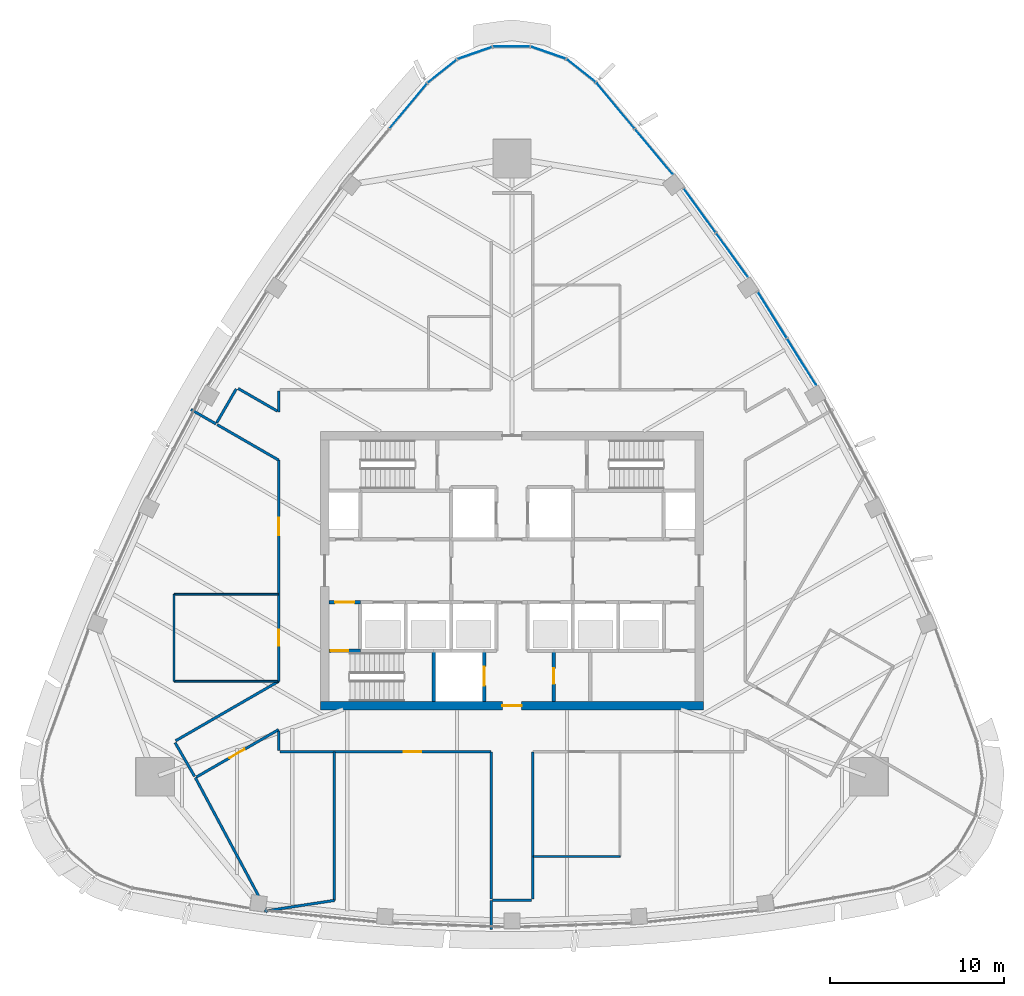
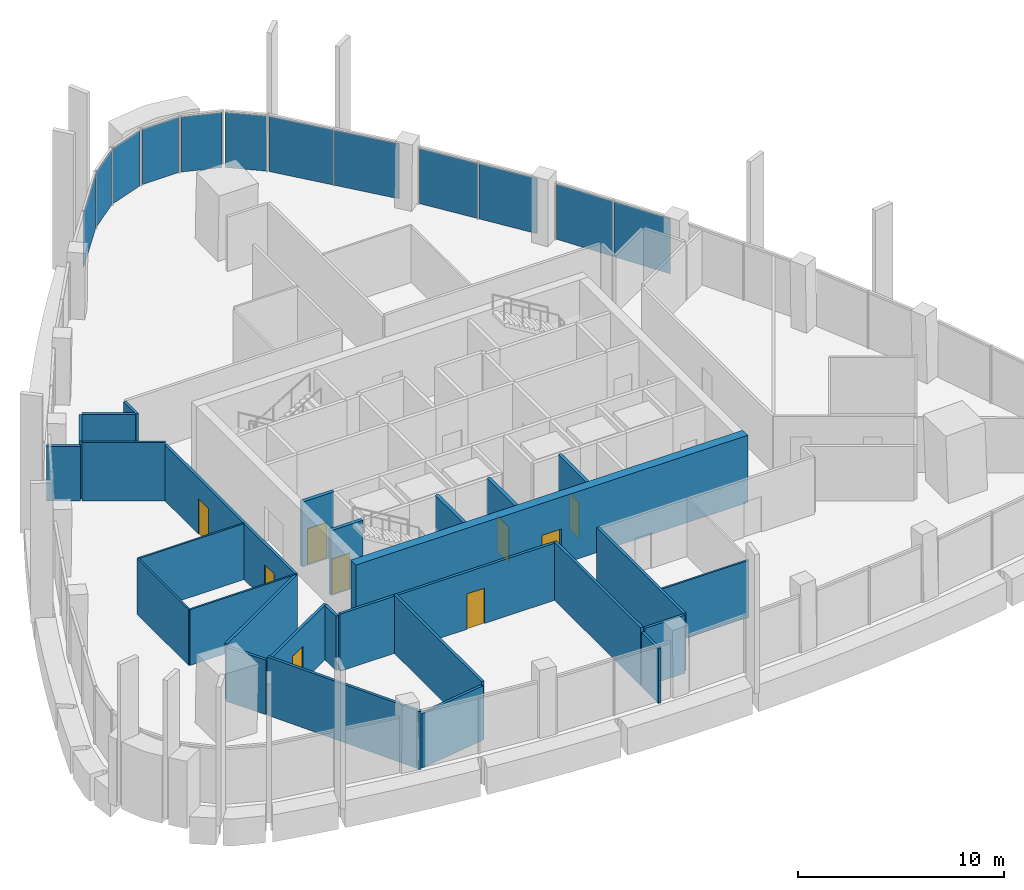
# One storey, part 8 of 19: 29 walls, 12 plates, 9 doors, 9 openings, 9 elements without a shape of their own.
"""IFC4 building model written with IfcOpenShell, lengths in metres."""

import ifcopenshell
import ifcopenshell.guid

model = None  # the IFC model being written
_history = None  # IfcOwnerHistory: only IFC2X3 demands one
_inside = {}  # id of a spatial element -> (the spatial element, [elements in it])
_under = {}  # id of a project, library or spatial element -> (it, [spatial elements below it])
_declared = {}  # id of a project -> (the project, [libraries it declares])
_typed = {}  # id of a type object -> (the type object, [elements of that type])
_made_of = {}  # id of a material, layer set ... -> (it, [elements and type objects made of it])


def new_model(schema):
    """Start an empty IFC model of exactly this schema.

    Asked for "IFC4X3", IfcOpenShell would pick the latest addendum, in which some entities
    have other attributes; the version numbers below select the first issue.
    IFC2X3 requires an IfcOwnerHistory on every rooted entity: one is made here for all.
    """
    global model, _history
    if schema == "IFC4X3":
        model = ifcopenshell.file(schema_version=(4, 3, 0, 0))
    else:
        model = ifcopenshell.file(schema=schema)
    _inside.clear()
    _under.clear()
    _declared.clear()
    _typed.clear()
    _made_of.clear()
    _history = None
    if model.schema == "IFC2X3":
        org = make("IfcOrganization", Name="unknown")
        user = make(
            "IfcPersonAndOrganization",
            ThePerson=make("IfcPerson", FamilyName="unknown"),
            TheOrganization=org,
        )
        app = make(
            "IfcApplication",
            ApplicationDeveloper=org,
            Version="unknown",
            ApplicationFullName="unknown",
            ApplicationIdentifier="unknown",
        )
        _history = make(
            "IfcOwnerHistory",
            OwningUser=user,
            OwningApplication=app,
            ChangeAction="ADDED",
            CreationDate=0,
        )
    return model


def make(cls, **values):
    """One entity of the class cls with the attributes given. An attribute that is None is left unset."""
    return model.create_entity(
        cls, **{name: value for name, value in values.items() if value is not None}
    )


def rooted(cls, **values):
    """An entity with a GlobalId (a new one), such as an element, a storey or a relation."""
    return make(cls, GlobalId=ifcopenshell.guid.new(), OwnerHistory=_history, **values)


def si_unit(unit_type, name, prefix=None):
    """IfcSIUnit, for example si_unit("LENGTHUNIT", "METRE", prefix="MILLI")."""
    return make("IfcSIUnit", UnitType=unit_type, Prefix=prefix, Name=name)


def assignment(units):
    """IfcUnitAssignment: the units of a project."""
    return None if units is None else make("IfcUnitAssignment", Units=units)


def point(xyz):
    """IfcCartesianPoint."""
    return None if xyz is None else make("IfcCartesianPoint", Coordinates=xyz)


def direction(xyz):
    """IfcDirection."""
    return None if xyz is None else make("IfcDirection", DirectionRatios=xyz)


def frame(location, z_axis=None, x_axis=None):
    """IfcAxis2Placement3D, a coordinate frame: its origin and axes. An axis left out is left unset."""
    return make(
        "IfcAxis2Placement3D",
        Location=point(location),
        Axis=direction(z_axis),
        RefDirection=direction(x_axis),
    )


def frame_2d(location, x_axis=None):
    """IfcAxis2Placement2D, a coordinate frame in the plane: its origin and x axis."""
    return make(
        "IfcAxis2Placement2D", Location=point(location), RefDirection=direction(x_axis)
    )


def origin():
    """The frame at (0, 0, 0) with its axes left unset."""
    return frame((0.0, 0.0, 0.0))


def origin_2d():
    """The frame at (0, 0) in the plane with its x axis left unset."""
    return frame_2d((0.0, 0.0))


def place(relative_to, where):
    """IfcLocalPlacement: puts the frame where relative to a parent placement (None: the world)."""
    return make(
        "IfcLocalPlacement", PlacementRelTo=relative_to, RelativePlacement=where
    )


def context(
    kind, dimensions, precision=None, world=None, true_north=None, identifier=None
):
    """IfcGeometricRepresentationContext, for example the 3D "Model" context."""
    return make(
        "IfcGeometricRepresentationContext",
        ContextIdentifier=identifier,
        ContextType=kind,
        CoordinateSpaceDimension=dimensions,
        Precision=precision,
        WorldCoordinateSystem=world,
        TrueNorth=true_north,
    )


def subcontext(parent, identifier, kind, view, scale=None):
    """IfcGeometricRepresentationSubContext, for example "Body" below "Model"."""
    return make(
        "IfcGeometricRepresentationSubContext",
        ContextIdentifier=identifier,
        ContextType=kind,
        ParentContext=parent,
        TargetScale=scale,
        TargetView=view,
    )


def project(units=None, contexts=None):
    """IfcProject with its units and contexts."""
    return rooted(
        "IfcProject",
        Name="project",
        RepresentationContexts=contexts,
        UnitsInContext=assignment(units),
    )


def spatial(cls, under=None, at=None, **own):
    """A site, building, storey or space (cls), placed at a placement, below another one or the project."""
    s = rooted(cls, ObjectPlacement=at, **own)
    if under is not None:
        _under.setdefault(under.id(), (under, []))[1].append(s)
    return s


def profile(cls, at=None, kind="AREA", **sizes):
    """A parametric profile (cls). Its sizes go by their IFC names, for example OverallWidth=200.0."""
    return make(cls, ProfileType=kind, Position=at, **sizes)


def rectangle(**sizes):
    """IfcRectangleProfileDef."""
    return profile("IfcRectangleProfileDef", **sizes)


def extrude(swept, where, along, depth):
    """IfcExtrudedAreaSolid: the profile swept, set in the frame where, extruded along a direction by depth."""
    return make(
        "IfcExtrudedAreaSolid",
        SweptArea=swept,
        Position=where,
        ExtrudedDirection=direction(along),
        Depth=depth,
    )


def shape(context_of_items, identifier, shape_type, items):
    """IfcShapeRepresentation: the items that make up one representation, for example the "Body"."""
    return make(
        "IfcShapeRepresentation",
        ContextOfItems=context_of_items,
        RepresentationIdentifier=identifier,
        RepresentationType=shape_type,
        Items=items,
    )


def material(Name=None, Category=None):
    """IfcMaterial."""
    return make("IfcMaterial", Name=Name, Category=Category)


def layer(
    of_material, thickness, ventilated=None, Name=None, Category=None, Priority=None
):
    """IfcMaterialLayer: one layer of a wall or slab, of a material (None: an air gap)."""
    return make(
        "IfcMaterialLayer",
        Material=of_material,
        LayerThickness=thickness,
        IsVentilated=ventilated,
        Name=Name,
        Category=Category,
        Priority=Priority,
    )


def layer_set(layers, Name=None):
    """IfcMaterialLayerSet."""
    return make("IfcMaterialLayerSet", MaterialLayers=layers, LayerSetName=Name)


def made_of(thing, what):
    """Note that an element or type object is made of a material, layer set ...; save() writes the relation."""
    if what is not None:
        _made_of.setdefault(what.id(), (what, []))[1].append(thing)
    return thing


def type_object(cls, material=None, **own):
    """A type object (cls), such as IfcWallType, which elements share."""
    return made_of(rooted(cls, **own), material)


def element(
    cls,
    number,
    at=None,
    inside=None,
    cuts=None,
    type_object=None,
    material=None,
    context=None,
    identifier="Body",
    shape_type=None,
    held_by="IfcProductDefinitionShape",
    body=None,
    shapes=None,
    **own,
):
    """One element of the class cls, such as IfcWall. Its Tag is "e" and its number.

    at: its placement. inside: the storey or other place that contains it. cuts: it is an
    opening in that element (IfcRelVoidsElement). A single representation is given by context,
    identifier, shape_type and body (its items); several are given by shapes. held_by: the class
    of the entity that holds the representations. save() writes the other relations.
    """
    e = rooted(cls, Tag="e%d" % number, ObjectPlacement=at, **own)
    if body is not None:
        shapes = [shape(context, identifier, shape_type, body)]
    if shapes is not None:
        e.Representation = make(held_by, Representations=shapes)
    if inside is not None:
        _inside.setdefault(inside.id(), (inside, []))[1].append(e)
    if cuts is not None:
        rooted(
            "IfcRelVoidsElement", RelatingBuildingElement=cuts, RelatedOpeningElement=e
        )
    if type_object is not None:
        _typed.setdefault(type_object.id(), (type_object, []))[1].append(e)
    return made_of(e, material)


def fill(opening, filler):
    """IfcRelFillsElement: the door or window that sits in an opening."""
    return rooted(
        "IfcRelFillsElement",
        RelatingOpeningElement=opening,
        RelatedBuildingElement=filler,
    )


def aggregate(whole, parts):
    """IfcRelAggregates: a whole, such as a stair, and the parts it consists of."""
    return rooted("IfcRelAggregates", RelatingObject=whole, RelatedObjects=parts)


def save(model, path):
    """Write the relations noted so far, then the file.

    IfcRelAggregates (storeys below a building ...), IfcRelContainedInSpatialStructure (elements
    in a storey), IfcRelDefinesByType, IfcRelAssociatesMaterial and IfcRelDeclares: one each for
    every whole, place, type object, material and project.
    """
    for whole, parts in _under.values():
        aggregate(whole, parts)
    for where, things in _inside.values():
        rooted(
            "IfcRelContainedInSpatialStructure",
            RelatedElements=things,
            RelatingStructure=where,
        )
    for kind, things in _typed.values():
        rooted("IfcRelDefinesByType", RelatedObjects=things, RelatingType=kind)
    for what, things in _made_of.values():
        rooted("IfcRelAssociatesMaterial", RelatedObjects=things, RelatingMaterial=what)
    for by, libraries in _declared.values():
        rooted("IfcRelDeclares", RelatingContext=by, RelatedDefinitions=libraries)
    model.write(path)


model = new_model("IFC4")

# Units and contexts
model_context = context("Model", 3, precision=1e-05, world=origin(), true_north=direction((0.0, 1.0)))
body_context = subcontext(model_context, "Body", "Model", "MODEL_VIEW")
ifc_project = project(units=[si_unit("LENGTHUNIT", "METRE"), si_unit("AREAUNIT", "SQUARE_METRE"), si_unit("VOLUMEUNIT", "CUBIC_METRE"), si_unit("PLANEANGLEUNIT", "RADIAN"), si_unit("MASSUNIT", "GRAM", prefix="KILO")], contexts=[model_context])

# Site, building, storey
site_placement = place(None, origin())
site = spatial("IfcSite", under=ifc_project, at=site_placement, CompositionType="ELEMENT")
building_placement = place(site_placement, origin())
building = spatial("IfcBuilding", under=site, at=building_placement, Name="Sierra Prisma Convention Tower", CompositionType="ELEMENT")
storey_placement = place(building_placement, frame((0.0, 0.0, 295.0)))
storey = spatial("IfcBuildingStorey", under=building, at=storey_placement, Name="L67", CompositionType="ELEMENT", Elevation=295.0)

# Curtain wall, plates
ifc_material_1 = material(Name="Aluminium and glass curtain wall", Category="aluminium")
ifc_layer_1 = layer(ifc_material_1, 0.179931640625)
ifc_layer_set_1 = layer_set([ifc_layer_1], Name="CW-1 Plain shaft curtain wall")
curtain_wall_type = type_object("IfcCurtainWallType", Name="CW-1 Plain shaft curtain wall", PredefinedType="NOTDEFINED", material=ifc_layer_set_1)
curtain_wall_1_placement = place(storey_placement, origin())
curtain_wall_1 = element("IfcCurtainWall", 1, at=curtain_wall_1_placement, inside=storey, type_object=curtain_wall_type, Name="CW-1 NE4 L67", PredefinedType="NOTDEFINED")
ifc_material_2 = material(Name="Tinted glass bronze-grey IGU", Category="glass")
ifc_layer_2 = layer(ifc_material_2, 0.028076171875)
ifc_layer_set_2 = layer_set([ifc_layer_2], Name="CW-1 glass panel")
plate_type = type_object("IfcPlateType", Name="CW-1 glass panel", PredefinedType="CURTAIN_PANEL", material=ifc_layer_set_2)
plate_1_placement = place(storey_placement, frame((16.622802734375, 11.98876953125, 0.0), z_axis=(0.0, 0.0, 1.0), x_axis=(-0.529519361061, 0.848297852326, 0.0)))
plate_1 = element("IfcPlate", 2, at=plate_1_placement, type_object=plate_type, Name="CW-1 panel NE4.1", PredefinedType="CURTAIN_PANEL", context=body_context, shape_type="SweptSolid", body=[
    extrude(rectangle(XDim=3.10498046875, YDim=0.028076171875, at=origin_2d()), origin(), (0.0, 0.0, 1.0), 3.280029296875),
])
plate_2_placement = place(storey_placement, frame((14.94140625, 14.68212890625, 0.0), z_axis=(0.0, 0.0, 1.0), x_axis=(-0.529519361061, 0.848297852326, 0.0)))
plate_2 = element("IfcPlate", 3, at=plate_2_placement, type_object=plate_type, Name="CW-1 panel NE4.2", PredefinedType="CURTAIN_PANEL", context=body_context, shape_type="SweptSolid", body=[
    extrude(rectangle(XDim=3.10498046875, YDim=0.028076171875, at=origin_2d()), origin(), (0.0, 0.0, 1.0), 3.280029296875),
])
aggregate(curtain_wall_1, [plate_1, plate_2])

curtain_wall_2_placement = place(storey_placement, origin())
curtain_wall_2 = element("IfcCurtainWall", 4, at=curtain_wall_2_placement, inside=storey, type_object=curtain_wall_type, Name="CW-1 NE5 L67", PredefinedType="NOTDEFINED")
plate_3_placement = place(storey_placement, frame((12.62646484375, 18.122314453125, 0.0), z_axis=(0.0, 0.0, 1.0), x_axis=(-0.586640339867, 0.809847585439, 0.0)))
plate_3 = element("IfcPlate", 5, at=plate_3_placement, type_object=plate_type, Name="CW-1 panel NE5.1", PredefinedType="CURTAIN_PANEL", context=body_context, shape_type="SweptSolid", body=[
    extrude(rectangle(XDim=3.08984375, YDim=0.028076171875, at=origin_2d()), origin(), (0.0, 0.0, 1.0), 3.280029296875),
])
plate_4_placement = place(storey_placement, frame((10.772705078125, 20.681396484375, 0.0), z_axis=(0.0, 0.0, 1.0), x_axis=(-0.586640339867, 0.809847585439, 0.0)))
plate_4 = element("IfcPlate", 6, at=plate_4_placement, type_object=plate_type, Name="CW-1 panel NE5.2", PredefinedType="CURTAIN_PANEL", context=body_context, shape_type="SweptSolid", body=[
    extrude(rectangle(XDim=3.08984375, YDim=0.028076171875, at=origin_2d()), origin(), (0.0, 0.0, 1.0), 3.280029296875),
])
aggregate(curtain_wall_2, [plate_3, plate_4])

curtain_wall_3_placement = place(storey_placement, origin())
curtain_wall_3 = element("IfcCurtainWall", 7, at=curtain_wall_3_placement, inside=storey, type_object=curtain_wall_type, Name="CW-1 NE6 L67", PredefinedType="NOTDEFINED")
plate_5_placement = place(storey_placement, frame((8.134521484375, 24.06689453125, 0.0), z_axis=(0.0, 0.0, 1.0), x_axis=(-0.640979922352, 0.767557645485, 0.0)))
plate_5 = element("IfcPlate", 8, at=plate_5_placement, type_object=plate_type, Name="CW-1 panel NE6.1", PredefinedType="CURTAIN_PANEL", context=body_context, shape_type="SweptSolid", body=[
    extrude(rectangle(XDim=3.3359375, YDim=0.028076171875, at=origin_2d()), origin(), (0.0, 0.0, 1.0), 3.280029296875),
])
plate_6_placement = place(storey_placement, frame((5.951416015625, 26.68115234375, 0.0), z_axis=(0.0, 0.0, 1.0), x_axis=(-0.640979922352, 0.767557645485, 0.0)))
plate_6 = element("IfcPlate", 9, at=plate_6_placement, type_object=plate_type, Name="CW-1 panel NE6.2", PredefinedType="CURTAIN_PANEL", context=body_context, shape_type="SweptSolid", body=[
    extrude(rectangle(XDim=3.3359375, YDim=0.028076171875, at=origin_2d()), origin(), (0.0, 0.0, 1.0), 3.280029296875),
])
aggregate(curtain_wall_3, [plate_5, plate_6])

# Curtain wall, plate
curtain_wall_4_placement = place(storey_placement, origin())
curtain_wall_4 = element("IfcCurtainWall", 10, at=curtain_wall_4_placement, inside=storey, type_object=curtain_wall_type, Name="CW-1 N1 L67", PredefinedType="NOTDEFINED")
plate_7_placement = place(storey_placement, frame((3.987548828125, 28.69189453125, 0.0), z_axis=(0.0, 0.0, 1.0), x_axis=(-0.782285706421, 0.622919797027, 0.0)))
plate_7 = element("IfcPlate", 11, at=plate_7_placement, type_object=plate_type, Name="CW-1 panel N1.1", PredefinedType="CURTAIN_PANEL", context=body_context, shape_type="SweptSolid", body=[
    extrude(rectangle(XDim=2.032958984375, YDim=0.028076171875, at=origin_2d()), origin(), (0.0, 0.0, 1.0), 3.280029296875),
])
aggregate(curtain_wall_4, [plate_7])

curtain_wall_5_placement = place(storey_placement, origin())
curtain_wall_5 = element("IfcCurtainWall", 12, at=curtain_wall_5_placement, inside=storey, type_object=curtain_wall_type, Name="CW-1 N2 L67", PredefinedType="NOTDEFINED")
plate_8_placement = place(storey_placement, frame((2.112060546875, 29.72705078125, 0.0), z_axis=(0.0, 0.0, 1.0), x_axis=(-0.944003629872, 0.329935064504, 0.0)))
plate_8 = element("IfcPlate", 13, at=plate_8_placement, type_object=plate_type, Name="CW-1 panel N2.1", PredefinedType="CURTAIN_PANEL", context=body_context, shape_type="SweptSolid", body=[
    extrude(rectangle(XDim=2.032958984375, YDim=0.028076171875, at=origin_2d()), origin(), (0.0, 0.0, 1.0), 3.280029296875),
])
aggregate(curtain_wall_5, [plate_8])

curtain_wall_6_placement = place(storey_placement, origin())
curtain_wall_6 = element("IfcCurtainWall", 14, at=curtain_wall_6_placement, inside=storey, type_object=curtain_wall_type, Name="CW-1 N3 L67", PredefinedType="NOTDEFINED")
plate_9_placement = place(storey_placement, frame((0.0, 30.08544921875, 0.0), z_axis=(0.0, 0.0, 1.0), x_axis=(-1.0, 0.0, 0.0)))
plate_9 = element("IfcPlate", 15, at=plate_9_placement, type_object=plate_type, Name="CW-1 panel N3.1", PredefinedType="CURTAIN_PANEL", context=body_context, shape_type="SweptSolid", body=[
    extrude(rectangle(XDim=2.032958984375, YDim=0.028076171875, at=origin_2d()), origin(), (0.0, 0.0, 1.0), 3.280029296875),
])
aggregate(curtain_wall_6, [plate_9])

curtain_wall_7_placement = place(storey_placement, origin())
curtain_wall_7 = element("IfcCurtainWall", 16, at=curtain_wall_7_placement, inside=storey, type_object=curtain_wall_type, Name="CW-1 N4 L67", PredefinedType="NOTDEFINED")
plate_10_placement = place(storey_placement, frame((-2.112060546875, 29.72705078125, 0.0), z_axis=(0.0, 0.0, 1.0), x_axis=(-0.944003629872, -0.329935064504, 0.0)))
plate_10 = element("IfcPlate", 17, at=plate_10_placement, type_object=plate_type, Name="CW-1 panel N4.1", PredefinedType="CURTAIN_PANEL", context=body_context, shape_type="SweptSolid", body=[
    extrude(rectangle(XDim=2.032958984375, YDim=0.028076171875, at=origin_2d()), origin(), (0.0, 0.0, 1.0), 3.280029296875),
])
aggregate(curtain_wall_7, [plate_10])

curtain_wall_8_placement = place(storey_placement, origin())
curtain_wall_8 = element("IfcCurtainWall", 18, at=curtain_wall_8_placement, inside=storey, type_object=curtain_wall_type, Name="CW-1 N5 L67", PredefinedType="NOTDEFINED")
plate_11_placement = place(storey_placement, frame((-3.987548828125, 28.69189453125, 0.0), z_axis=(0.0, 0.0, 1.0), x_axis=(-0.782285706421, -0.622919797027, 0.0)))
plate_11 = element("IfcPlate", 19, at=plate_11_placement, type_object=plate_type, Name="CW-1 panel N5.1", PredefinedType="CURTAIN_PANEL", context=body_context, shape_type="SweptSolid", body=[
    extrude(rectangle(XDim=2.032958984375, YDim=0.028076171875, at=origin_2d()), origin(), (0.0, 0.0, 1.0), 3.280029296875),
])
aggregate(curtain_wall_8, [plate_11])

curtain_wall_9_placement = place(storey_placement, origin())
curtain_wall_9 = element("IfcCurtainWall", 20, at=curtain_wall_9_placement, inside=storey, type_object=curtain_wall_type, Name="CW-1 NW1 L67", PredefinedType="NOTDEFINED")
plate_12_placement = place(storey_placement, frame((-5.951416015625, 26.68115234375, 0.0), z_axis=(0.0, 0.0, 1.0), x_axis=(-0.640979922352, -0.767557645485, 0.0)))
plate_12 = element("IfcPlate", 21, at=plate_12_placement, type_object=plate_type, Name="CW-1 panel NW1.1", PredefinedType="CURTAIN_PANEL", context=body_context, shape_type="SweptSolid", body=[
    extrude(rectangle(XDim=3.3359375, YDim=0.028076171875, at=origin_2d()), origin(), (0.0, 0.0, 1.0), 3.280029296875),
])
aggregate(curtain_wall_9, [plate_12])

# Walls
ifc_material_3 = material(Name="Gypsum board partition", Category="gypsum")
ifc_layer_3 = layer(ifc_material_3, 0.10009765625)
ifc_layer_set_3 = layer_set([ifc_layer_3], Name="Bathroom partition 100")
wall_type_1 = type_object("IfcWallType", Name="Bathroom partition 100", PredefinedType="PARTITIONING", material=ifc_layer_set_3)
wall_1_placement = place(storey_placement, frame((-13.4599609375, -6.350830078125, 0.0), z_axis=(0.0, 0.0, 1.0), x_axis=(-1.0, 0.0, 0.0)))
element("IfcWall", 22, at=wall_1_placement, inside=storey, type_object=wall_type_1, Name="Partition L67 bath 1", PredefinedType="PARTITIONING", context=body_context, shape_type="SweptSolid", body=[
    extrude(rectangle(XDim=5.93994140625, YDim=0.10009765625, at=frame_2d((2.969970703125, 0.0))), origin(), (0.0, 0.0, 1.0), 3.31689453125),
])
wall_2_placement = place(storey_placement, frame((-19.39990234375, -6.350830078125, 0.0), z_axis=(0.0, 0.0, 1.0), x_axis=(0.0, 1.0, 0.0)))
element("IfcWall", 23, at=wall_2_placement, inside=storey, type_object=wall_type_1, Name="Partition L67 bath 2", PredefinedType="PARTITIONING", context=body_context, shape_type="SweptSolid", body=[
    extrude(rectangle(XDim=5.0, YDim=0.10009765625, at=frame_2d((2.5, 0.0))), origin(), (0.0, 0.0, 1.0), 3.31689453125),
])
wall_3_placement = place(storey_placement, frame((-19.39990234375, -1.350830078125, 0.0), z_axis=(0.0, 0.0, 1.0), x_axis=(1.0, 0.0, 0.0)))
element("IfcWall", 24, at=wall_3_placement, inside=storey, type_object=wall_type_1, Name="Partition L67 bath 3", PredefinedType="PARTITIONING", context=body_context, shape_type="SweptSolid", body=[
    extrude(rectangle(XDim=5.969970703125, YDim=0.10009765625, at=frame_2d((2.98486328125, 0.0))), origin(), (0.0, 0.0, 1.0), 3.31689453125),
])
wall_4_placement = place(storey_placement, frame((6.199951171875, -16.39990234375, 0.0), z_axis=(0.0, 0.0, 1.0), x_axis=(-1.0, 0.0, 0.0)))
element("IfcWall", 25, at=wall_4_placement, inside=storey, type_object=wall_type_1, Name="Partition L67 bath 7", PredefinedType="PARTITIONING", context=body_context, shape_type="SweptSolid", body=[
    extrude(rectangle(XDim=4.969970703125, YDim=0.10009765625, at=frame_2d((2.48486328125, 0.0))), origin(), (0.0, 0.0, 1.0), 3.39306640625),
])

# Wall, opening, door
ifc_material_4 = material(Name="Concrete C30/37", Category="concrete")
ifc_layer_4 = layer(ifc_material_4, 0.199951171875)
ifc_layer_set_4 = layer_set([ifc_layer_4], Name="Core wall RC 200 C30/37")
wall_type_2 = type_object("IfcWallType", Name="Core wall RC 200 C30/37", PredefinedType="SOLIDWALL", material=ifc_layer_set_4)
wall_5_placement = place(storey_placement, frame((-10.5, -4.60009765625, 0.0), z_axis=(0.0, 0.0, 1.0), x_axis=(1.0, 0.0, 0.0)))
wall_5 = element("IfcWall", 26, at=wall_5_placement, inside=storey, type_object=wall_type_2, Name="Core wall L67 1", PredefinedType="SOLIDWALL", context=body_context, shape_type="SweptSolid", body=[
    extrude(rectangle(XDim=1.800048828125, YDim=0.199951171875, at=frame_2d((0.89990234375, 0.0))), origin(), (0.0, 0.0, 1.0), 3.85009765625),
])
opening_1_placement = place(wall_5_placement, frame((0.10009765625, 0.0, 0.0)))
opening_1 = element("IfcOpeningElement", 27, at=opening_1_placement, cuts=wall_5, Name="Opening L67-D017", PredefinedType="OPENING", context=body_context, shape_type="SweptSolid", body=[
    extrude(rectangle(XDim=1.0, YDim=2.10009765625, at=frame_2d((0.5, 1.050048828125))), frame((0.0, 0.10009765625, 0.0), z_axis=(0.0, -1.0, 0.0), x_axis=(1.0, 0.0, 0.0)), (0.0, 0.0, 1.0), 0.199951171875),
])
ifc_material_5 = material(Name="Steel fire door leaf", Category="steel")
door_type_1 = type_object("IfcDoorType", Name="Door 1000x2100 FD90S", OperationType="SINGLE_SWING_LEFT", PredefinedType="DOOR", material=ifc_material_5)
door_1_placement = place(opening_1_placement, origin())
door_1 = element("IfcDoor", 28, at=door_1_placement, inside=storey, type_object=door_type_1, Name="Door L67 30", OperationType="SINGLE_SWING_LEFT", OverallHeight=2.10009765625, OverallWidth=1.0, PredefinedType="DOOR", context=body_context, shape_type="SweptSolid", body=[
    extrude(rectangle(XDim=1.0, YDim=2.10009765625, at=frame_2d((0.5, 1.050048828125))), frame((0.0, 0.02490234375, 0.0), z_axis=(0.0, -1.0, 0.0), x_axis=(1.0, 0.0, 0.0)), (0.0, 0.0, 1.0), 0.050048828125),
])
fill(opening_1, door_1)

wall_6_placement = place(storey_placement, frame((-10.5, -1.800048828125, 0.0), z_axis=(0.0, 0.0, 1.0), x_axis=(1.0, 0.0, 0.0)))
wall_6 = element("IfcWall", 29, at=wall_6_placement, inside=storey, type_object=wall_type_2, Name="Core wall L67 2", PredefinedType="SOLIDWALL", context=body_context, shape_type="SweptSolid", body=[
    extrude(rectangle(XDim=1.800048828125, YDim=0.199951171875, at=frame_2d((0.89990234375, 0.0))), origin(), (0.0, 0.0, 1.0), 3.85009765625),
])
opening_2_placement = place(wall_6_placement, frame((0.35009765625, 0.0, 0.0)))
opening_2 = element("IfcOpeningElement", 30, at=opening_2_placement, cuts=wall_6, Name="Opening L67-D012", PredefinedType="OPENING", context=body_context, shape_type="SweptSolid", body=[
    extrude(rectangle(XDim=1.10009765625, YDim=2.10009765625, at=frame_2d((0.550048828125, 1.050048828125))), frame((0.0, 0.10009765625, 0.0), z_axis=(0.0, -1.0, 0.0), x_axis=(1.0, 0.0, 0.0)), (0.0, 0.0, 1.0), 0.199951171875),
])
ifc_material_6 = material(Name="Steel fire door leaf", Category="steel")
door_type_2 = type_object("IfcDoorType", Name="Door 1100x2100 FD90S", OperationType="SINGLE_SWING_LEFT", PredefinedType="DOOR", material=ifc_material_6)
door_2_placement = place(opening_2_placement, origin())
door_2 = element("IfcDoor", 31, at=door_2_placement, inside=storey, type_object=door_type_2, Name="Door L67 25", OperationType="SINGLE_SWING_LEFT", OverallHeight=2.10009765625, OverallWidth=1.10009765625, PredefinedType="DOOR", context=body_context, shape_type="SweptSolid", body=[
    extrude(rectangle(XDim=1.10009765625, YDim=2.10009765625, at=frame_2d((0.550048828125, 1.050048828125))), frame((0.0, 0.02490234375, 0.0), z_axis=(0.0, -1.0, 0.0), x_axis=(1.0, 0.0, 0.0)), (0.0, 0.0, 1.0), 0.050048828125),
])
fill(opening_2, door_2)

# Wall
wall_7_placement = place(storey_placement, frame((-4.5, -4.60009765625, 0.0), z_axis=(0.0, 0.0, 1.0), x_axis=(0.0, -1.0, 0.0)))
element("IfcWall", 32, at=wall_7_placement, inside=storey, type_object=wall_type_2, Name="Core wall L67 14", PredefinedType="SOLIDWALL", context=body_context, shape_type="SweptSolid", body=[
    extrude(rectangle(XDim=2.89990234375, YDim=0.199951171875, at=frame_2d((1.449951171875, 0.0))), origin(), (0.0, 0.0, 1.0), 3.85009765625),
])

# Wall, opening, door
wall_8_placement = place(storey_placement, frame((-1.60009765625, -7.5, 0.0), z_axis=(0.0, 0.0, 1.0), x_axis=(0.0, 1.0, 0.0)))
wall_8 = element("IfcWall", 33, at=wall_8_placement, inside=storey, type_object=wall_type_2, Name="Core wall L67 27", PredefinedType="SOLIDWALL", context=body_context, shape_type="SweptSolid", body=[
    extrude(rectangle(XDim=2.89990234375, YDim=0.199951171875, at=frame_2d((1.449951171875, 0.0))), origin(), (0.0, 0.0, 1.0), 3.85009765625),
])
opening_3_placement = place(wall_8_placement, frame((0.89990234375, 0.0, 0.0)))
opening_3 = element("IfcOpeningElement", 34, at=opening_3_placement, cuts=wall_8, Name="Opening L67-D009", PredefinedType="OPENING", context=body_context, shape_type="SweptSolid", body=[
    extrude(rectangle(XDim=1.10009765625, YDim=2.10009765625, at=frame_2d((0.550048828125, 1.050048828125))), frame((0.0, 0.10009765625, 0.0), z_axis=(0.0, -1.0, 0.0), x_axis=(1.0, 0.0, 0.0)), (0.0, 0.0, 1.0), 0.199951171875),
])
ifc_material_7 = material(Name="Steel fire door leaf", Category="steel")
door_type_3 = type_object("IfcDoorType", Name="Door 1100x2100 EI 90 sliding lift landing", OperationType="SLIDING_TO_LEFT", PredefinedType="DOOR", material=ifc_material_7)
door_3_placement = place(opening_3_placement, origin())
door_3 = element("IfcDoor", 35, at=door_3_placement, inside=storey, type_object=door_type_3, Name="Door L67 22", OperationType="SLIDING_TO_RIGHT", OverallHeight=2.10009765625, OverallWidth=1.10009765625, PredefinedType="DOOR", context=body_context, shape_type="SweptSolid", body=[
    extrude(rectangle(XDim=1.10009765625, YDim=2.10009765625, at=frame_2d((0.550048828125, 1.050048828125))), frame((0.0, 0.02490234375, 0.0), z_axis=(0.0, -1.0, 0.0), x_axis=(1.0, 0.0, 0.0)), (0.0, 0.0, 1.0), 0.050048828125),
])
fill(opening_3, door_3)

wall_9_placement = place(storey_placement, frame((2.39990234375, -4.60009765625, 0.0), z_axis=(0.0, 0.0, 1.0), x_axis=(0.0, -1.0, 0.0)))
wall_9 = element("IfcWall", 36, at=wall_9_placement, inside=storey, type_object=wall_type_2, Name="Core wall L67 39", PredefinedType="SOLIDWALL", context=body_context, shape_type="SweptSolid", body=[
    extrude(rectangle(XDim=2.89990234375, YDim=0.199951171875, at=frame_2d((1.449951171875, 0.0))), origin(), (0.0, 0.0, 1.0), 3.85009765625),
])
opening_4_placement = place(wall_9_placement, frame((1.0, 0.0, 0.0)))
opening_4 = element("IfcOpeningElement", 37, at=opening_4_placement, cuts=wall_9, Name="Opening L67-D024", PredefinedType="OPENING", context=body_context, shape_type="SweptSolid", body=[
    extrude(rectangle(XDim=0.89990234375, YDim=2.10009765625, at=frame_2d((0.449951171875, 1.050048828125))), frame((0.0, 0.10009765625, 0.0), z_axis=(0.0, -1.0, 0.0), x_axis=(1.0, 0.0, 0.0)), (0.0, 0.0, 1.0), 0.199951171875),
])
ifc_material_8 = material(Name="Steel fire door leaf", Category="steel")
door_type_4 = type_object("IfcDoorType", Name="Door 900x2100 FD30S", OperationType="SINGLE_SWING_LEFT", PredefinedType="DOOR", material=ifc_material_8)
door_4_placement = place(opening_4_placement, origin())
door_4 = element("IfcDoor", 38, at=door_4_placement, inside=storey, type_object=door_type_4, Name="Door L67 37", OperationType="SINGLE_SWING_RIGHT", OverallHeight=2.10009765625, OverallWidth=0.89990234375, PredefinedType="DOOR", context=body_context, shape_type="SweptSolid", body=[
    extrude(rectangle(XDim=0.89990234375, YDim=2.10009765625, at=frame_2d((0.449951171875, 1.050048828125))), frame((0.0, 0.02490234375, 0.0), z_axis=(0.0, -1.0, 0.0), x_axis=(1.0, 0.0, 0.0)), (0.0, 0.0, 1.0), 0.050048828125),
])
fill(opening_4, door_4)

ifc_material_9 = material(Name="Concrete C50/60", Category="concrete")
ifc_layer_5 = layer(ifc_material_9, 0.5)
ifc_layer_set_5 = layer_set([ifc_layer_5], Name="Core wall RC 500 C50/60")
wall_type_3 = type_object("IfcWallType", Name="Core wall RC 500 C50/60", PredefinedType="SHEAR", material=ifc_layer_set_5)
wall_10_placement = place(storey_placement, frame((-11.0, -7.75, 0.0), z_axis=(0.0, 0.0, 1.0), x_axis=(1.0, 0.0, 0.0)))
wall_10 = element("IfcWall", 39, at=wall_10_placement, inside=storey, type_object=wall_type_3, Name="Core wall S L67", PredefinedType="SHEAR", context=body_context, shape_type="SweptSolid", body=[
    extrude(rectangle(XDim=22.0, YDim=0.5, at=frame_2d((11.0, 0.0))), origin(), (0.0, 0.0, 1.0), 4.0),
])
opening_5_placement = place(wall_10_placement, frame((10.449951171875, 0.0, 0.0)))
opening_5 = element("IfcOpeningElement", 40, at=opening_5_placement, cuts=wall_10, Name="Opening L67-D040", PredefinedType="OPENING", context=body_context, shape_type="SweptSolid", body=[
    extrude(rectangle(XDim=1.10009765625, YDim=2.10009765625, at=frame_2d((0.550048828125, 1.050048828125))), frame((0.0, 0.25, 0.0), z_axis=(0.0, -1.0, 0.0), x_axis=(1.0, 0.0, 0.0)), (0.0, 0.0, 1.0), 0.5),
])
ifc_material_10 = material(Name="Steel fire door leaf", Category="steel")
door_type_5 = type_object("IfcDoorType", Name="Door 1100x2100 FD30S", OperationType="SINGLE_SWING_LEFT", PredefinedType="DOOR", material=ifc_material_10)
door_5_placement = place(opening_5_placement, origin())
door_5 = element("IfcDoor", 41, at=door_5_placement, inside=storey, type_object=door_type_5, Name="Door L67 41", OperationType="SINGLE_SWING_RIGHT", OverallHeight=2.10009765625, OverallWidth=1.10009765625, PredefinedType="DOOR", context=body_context, shape_type="SweptSolid", body=[
    extrude(rectangle(XDim=1.10009765625, YDim=2.10009765625, at=frame_2d((0.550048828125, 1.050048828125))), frame((0.0, 0.02490234375, 0.0), z_axis=(0.0, -1.0, 0.0), x_axis=(1.0, 0.0, 0.0)), (0.0, 0.0, 1.0), 0.050048828125),
])
fill(opening_5, door_5)

# Walls
ifc_material_11 = material(Name="Gypsum board partition", Category="gypsum")
ifc_layer_6 = layer(ifc_material_11, 0.14990234375)
ifc_layer_set_6 = layer_set([ifc_layer_6], Name="Corridor wall 150 gypsum EI 60")
wall_type_4 = type_object("IfcWallType", Name="Corridor wall 150 gypsum EI 60", PredefinedType="PARTITIONING", material=ifc_layer_set_6)
wall_11_placement = place(storey_placement, frame((-19.339111328125, -9.8720703125, 0.0), z_axis=(0.0, 0.0, 1.0), x_axis=(0.500030632641, -0.866007717299, 0.0)))
element("IfcWall", 42, at=wall_11_placement, inside=storey, type_object=wall_type_4, Name="Partition L67 corr 1", PredefinedType="PARTITIONING", context=body_context, shape_type="SweptSolid", body=[
    extrude(rectangle(XDim=2.239990234375, YDim=0.14990234375, at=frame_2d((1.1201171875, 0.0))), origin(), (0.0, 0.0, 1.0), 3.23291015625),
])
wall_12_placement = place(storey_placement, frame((-16.922119140625, 8.38427734375, 0.0), z_axis=(0.0, 0.0, 1.0), x_axis=(0.866036641328, -0.499980535498, 0.0)))
element("IfcWall", 43, at=wall_12_placement, inside=storey, type_object=wall_type_4, Name="Partition L67 corr 2", PredefinedType="PARTITIONING", context=body_context, shape_type="SweptSolid", body=[
    extrude(rectangle(XDim=4.067138671875, YDim=0.14990234375, at=frame_2d((2.03369140625, 0.0))), origin(), (0.0, 0.0, 1.0), 3.449951171875),
])

# Wall, openings, doors
wall_13_placement = place(storey_placement, frame((-13.39990234375, 6.350830078125, 0.0), z_axis=(0.0, 0.0, 1.0), x_axis=(0.0, -1.0, 0.0)))
wall_13 = element("IfcWall", 44, at=wall_13_placement, inside=storey, type_object=wall_type_4, Name="Partition L67 corr 3", PredefinedType="PARTITIONING", context=body_context, shape_type="SweptSolid", body=[
    extrude(rectangle(XDim=12.70166015625, YDim=0.14990234375, at=frame_2d((6.350830078125, 0.0))), origin(), (0.0, 0.0, 1.0), 3.31689453125),
])
opening_6_placement = place(wall_13_placement, frame((9.751708984375, 0.0, 0.0)))
opening_6 = element("IfcOpeningElement", 45, at=opening_6_placement, cuts=wall_13, Name="Opening L67-D030", PredefinedType="OPENING", context=body_context, shape_type="SweptSolid", body=[
    extrude(rectangle(XDim=0.89990234375, YDim=2.10009765625, at=frame_2d((0.449951171875, 1.050048828125))), frame((0.0, 0.074951171875, 0.0), z_axis=(0.0, -1.0, 0.0), x_axis=(1.0, 0.0, 0.0)), (0.0, 0.0, 1.0), 0.14990234375),
])
opening_7_placement = place(wall_13_placement, frame((3.30078125, 0.0, 0.0)))
opening_7 = element("IfcOpeningElement", 46, at=opening_7_placement, cuts=wall_13, Name="Opening L67-D031", PredefinedType="OPENING", context=body_context, shape_type="SweptSolid", body=[
    extrude(rectangle(XDim=1.0, YDim=2.10009765625, at=frame_2d((0.5, 1.050048828125))), frame((0.0, 0.074951171875, 0.0), z_axis=(0.0, -1.0, 0.0), x_axis=(1.0, 0.0, 0.0)), (0.0, 0.0, 1.0), 0.14990234375),
])
ifc_material_12 = material(Name="Steel fire door leaf", Category="steel")
door_type_6 = type_object("IfcDoorType", Name="Door 1000x2100 FD30S", OperationType="SINGLE_SWING_LEFT", PredefinedType="DOOR", material=ifc_material_12)
door_6_placement = place(opening_7_placement, origin())
door_6 = element("IfcDoor", 47, at=door_6_placement, inside=storey, type_object=door_type_6, Name="Door L67 7", OperationType="SINGLE_SWING_RIGHT", OverallHeight=2.10009765625, OverallWidth=1.0, PredefinedType="DOOR", context=body_context, shape_type="SweptSolid", body=[
    extrude(rectangle(XDim=1.0, YDim=2.10009765625, at=frame_2d((0.5, 1.050048828125))), frame((0.0, 0.02490234375, 0.0), z_axis=(0.0, -1.0, 0.0), x_axis=(1.0, 0.0, 0.0)), (0.0, 0.0, 1.0), 0.050048828125),
])
fill(opening_7, door_6)
door_7_placement = place(opening_6_placement, origin())
door_7 = element("IfcDoor", 48, at=door_7_placement, inside=storey, type_object=door_type_4, Name="Door L67 6", OperationType="SINGLE_SWING_LEFT", OverallHeight=2.10009765625, OverallWidth=0.89990234375, PredefinedType="DOOR", context=body_context, shape_type="SweptSolid", body=[
    extrude(rectangle(XDim=0.89990234375, YDim=2.10009765625, at=frame_2d((0.449951171875, 1.050048828125))), frame((0.0, 0.02490234375, 0.0), z_axis=(0.0, -1.0, 0.0), x_axis=(1.0, 0.0, 0.0)), (0.0, 0.0, 1.0), 0.050048828125),
])
fill(opening_6, door_7)

# Wall
wall_14_placement = place(storey_placement, frame((-13.39990234375, -6.350830078125, 0.0), z_axis=(0.0, 0.0, 1.0), x_axis=(-0.866024132967, -0.500002201113, 0.0)))
element("IfcWall", 49, at=wall_14_placement, inside=storey, type_object=wall_type_4, Name="Partition L67 corr 4", PredefinedType="PARTITIONING", context=body_context, shape_type="SweptSolid", body=[
    extrude(rectangle(XDim=6.82421875, YDim=0.14990234375, at=frame_2d((3.412109375, 0.0))), origin(), (0.0, 0.0, 1.0), 3.31689453125),
])

# Wall, opening, door
wall_15_placement = place(storey_placement, frame((-18.10986328125, -11.84130859375, 0.0), z_axis=(0.0, 0.0, 1.0), x_axis=(0.866030095999, 0.499991872758, 0.0)))
wall_15 = element("IfcWall", 50, at=wall_15_placement, inside=storey, type_object=wall_type_4, Name="Partition L67 corr 5", PredefinedType="PARTITIONING", context=body_context, shape_type="SweptSolid", body=[
    extrude(rectangle(XDim=5.4384765625, YDim=0.14990234375, at=frame_2d((2.71923828125, 0.0))), origin(), (0.0, 0.0, 1.0), 3.23291015625),
])
opening_8_placement = place(wall_15_placement, frame((2.17919921875, 0.0, 0.0)))
opening_8 = element("IfcOpeningElement", 51, at=opening_8_placement, cuts=wall_15, Name="Opening L67-D032", PredefinedType="OPENING", context=body_context, shape_type="SweptSolid", body=[
    extrude(rectangle(XDim=1.0, YDim=2.10009765625, at=frame_2d((0.5, 1.050048828125))), frame((0.0, 0.074951171875, 0.0), z_axis=(0.0, -1.0, 0.0), x_axis=(1.0, 0.0, 0.0)), (0.0, 0.0, 1.0), 0.14990234375),
])
door_8_placement = place(opening_8_placement, origin())
door_8 = element("IfcDoor", 52, at=door_8_placement, inside=storey, type_object=door_type_6, Name="Door L67 8", OperationType="SINGLE_SWING_LEFT", OverallHeight=2.10009765625, OverallWidth=1.0, PredefinedType="DOOR", context=body_context, shape_type="SweptSolid", body=[
    extrude(rectangle(XDim=1.0, YDim=2.10009765625, at=frame_2d((0.5, 1.050048828125))), frame((0.0, 0.02490234375, 0.0), z_axis=(0.0, -1.0, 0.0), x_axis=(1.0, 0.0, 0.0)), (0.0, 0.0, 1.0), 0.050048828125),
])
fill(opening_8, door_8)

# Walls
wall_16_placement = place(storey_placement, frame((-13.39990234375, -9.213623046875, 0.0), z_axis=(0.0, 0.0, 1.0), x_axis=(0.0, -1.0, 0.0)))
element("IfcWall", 53, at=wall_16_placement, inside=storey, type_object=wall_type_4, Name="Partition L67 corr 6", PredefinedType="PARTITIONING", context=body_context, shape_type="SweptSolid", body=[
    extrude(rectangle(XDim=1.1064453125, YDim=0.14990234375, at=frame_2d((0.55322265625, 0.0))), origin(), (0.0, 0.0, 1.0), 3.23291015625),
])
wall_17_placement = place(storey_placement, frame((-15.831298828125, 10.43359375, 0.0), z_axis=(0.0, 0.0, 1.0), x_axis=(-0.500030632641, -0.866007717299, 0.0)))
element("IfcWall", 54, at=wall_17_placement, inside=storey, type_object=wall_type_4, Name="Partition L67 corr 7", PredefinedType="PARTITIONING", context=body_context, shape_type="SweptSolid", body=[
    extrude(rectangle(XDim=2.239990234375, YDim=0.14990234375, at=frame_2d((1.1201171875, 0.0))), origin(), (0.0, 0.0, 1.0), 3.449951171875),
])
wall_18_placement = place(storey_placement, frame((-13.39990234375, 10.320068359375, 0.0), z_axis=(0.0, 0.0, 1.0), x_axis=(0.0, -1.0, 0.0)))
element("IfcWall", 55, at=wall_18_placement, inside=storey, type_object=wall_type_4, Name="Partition L67 corr 8", PredefinedType="PARTITIONING", context=body_context, shape_type="SweptSolid", body=[
    extrude(rectangle(XDim=1.197998046875, YDim=0.14990234375, at=frame_2d((0.59912109375, 0.0))), origin(), (0.0, 0.0, 1.0), 3.449951171875),
])
wall_19_placement = place(storey_placement, frame((-13.479248046875, 9.16796875, 0.0), z_axis=(0.0, 0.0, 1.0), x_axis=(-0.8660301764, 0.499991733496, 0.0)))
element("IfcWall", 56, at=wall_19_placement, inside=storey, type_object=wall_type_4, Name="Partition L67 corr 9", PredefinedType="PARTITIONING", context=body_context, shape_type="SweptSolid", body=[
    extrude(rectangle(XDim=2.58984375, YDim=0.14990234375, at=frame_2d((1.294921875, 0.0))), origin(), (0.0, 0.0, 1.0), 3.449951171875),
])

# Wall, opening, door
wall_20_placement = place(storey_placement, frame((-13.320068359375, -10.39990234375, 0.0), z_axis=(0.0, 0.0, 1.0), x_axis=(1.0, 0.0, 0.0)))
wall_20 = element("IfcWall", 57, at=wall_20_placement, inside=storey, type_object=wall_type_4, Name="Partition L67 corr 10", PredefinedType="PARTITIONING", context=body_context, shape_type="SweptSolid", body=[
    extrude(rectangle(XDim=12.1201171875, YDim=0.14990234375, at=frame_2d((6.06005859375, 0.0))), origin(), (0.0, 0.0, 1.0), 3.39306640625),
])
opening_9_placement = place(wall_20_placement, frame((7.1201171875, 0.0, 0.0)))
opening_9 = element("IfcOpeningElement", 58, at=opening_9_placement, cuts=wall_20, Name="Opening L67-D033", PredefinedType="OPENING", context=body_context, shape_type="SweptSolid", body=[
    extrude(rectangle(XDim=1.0, YDim=2.10009765625, at=frame_2d((0.5, 1.050048828125))), frame((0.0, 0.074951171875, 0.0), z_axis=(0.0, -1.0, 0.0), x_axis=(1.0, 0.0, 0.0)), (0.0, 0.0, 1.0), 0.14990234375),
])
door_9_placement = place(opening_9_placement, origin())
door_9 = element("IfcDoor", 59, at=door_9_placement, inside=storey, type_object=door_type_6, Name="Door L67 9", OperationType="SINGLE_SWING_LEFT", OverallHeight=2.10009765625, OverallWidth=1.0, PredefinedType="DOOR", context=body_context, shape_type="SweptSolid", body=[
    extrude(rectangle(XDim=1.0, YDim=2.10009765625, at=frame_2d((0.5, 1.050048828125))), frame((0.0, 0.02490234375, 0.0), z_axis=(0.0, -1.0, 0.0), x_axis=(1.0, 0.0, 0.0)), (0.0, 0.0, 1.0), 0.050048828125),
])
fill(opening_9, door_9)

# Walls
wall_21_placement = place(storey_placement, frame((-1.199951171875, -10.39990234375, 0.0), z_axis=(0.0, 0.0, 1.0), x_axis=(0.0, -1.0, 0.0)))
element("IfcWall", 60, at=wall_21_placement, inside=storey, type_object=wall_type_4, Name="Partition L67 corr 11", PredefinedType="PARTITIONING", context=body_context, shape_type="SweptSolid", body=[
    extrude(rectangle(XDim=8.447265625, YDim=0.14990234375, at=frame_2d((4.2236328125, 0.0))), origin(), (0.0, 0.0, 1.0), 3.449951171875),
])
wall_22_placement = place(storey_placement, frame((-1.1201171875, -18.927001953125, 0.0), z_axis=(0.0, 0.0, 1.0), x_axis=(1.0, 0.0, 0.0)))
element("IfcWall", 61, at=wall_22_placement, inside=storey, type_object=wall_type_4, Name="Partition L67 corr 14", PredefinedType="PARTITIONING", context=body_context, shape_type="SweptSolid", body=[
    extrude(rectangle(XDim=2.240234375, YDim=0.14990234375, at=frame_2d((1.1201171875, 0.0))), origin(), (0.0, 0.0, 1.0), 3.449951171875),
])
wall_23_placement = place(storey_placement, frame((1.199951171875, -18.84716796875, 0.0), z_axis=(0.0, 0.0, 1.0), x_axis=(0.0, 1.0, 0.0)))
element("IfcWall", 62, at=wall_23_placement, inside=storey, type_object=wall_type_4, Name="Partition L67 corr 16", PredefinedType="PARTITIONING", context=body_context, shape_type="SweptSolid", body=[
    extrude(rectangle(XDim=8.447265625, YDim=0.14990234375, at=frame_2d((4.2236328125, 0.0))), origin(), (0.0, 0.0, 1.0), 3.449951171875),
])
ifc_material_13 = material(Name="Gypsum board partition", Category="gypsum")
ifc_layer_7 = layer(ifc_material_13, 0.14990234375)
ifc_layer_set_7 = layer_set([ifc_layer_7], Name="Party wall 150 gypsum")
wall_type_5 = type_object("IfcWallType", Name="Party wall 150 gypsum", PredefinedType="PARTITIONING", material=ifc_layer_set_7)
wall_24_placement = place(storey_placement, frame((-16.991455078125, 8.42431640625, 0.0), z_axis=(0.0, 0.0, 1.0), x_axis=(-0.866011236992, 0.500024536802, 0.0)))
element("IfcWall", 63, at=wall_24_placement, inside=storey, type_object=wall_type_5, Name="Partition L67 party 1", PredefinedType="PARTITIONING", context=body_context, shape_type="SweptSolid", body=[
    extrude(rectangle(XDim=1.65576171875, YDim=0.14990234375, at=frame_2d((0.827880859375, 0.0))), origin(), (0.0, 0.0, 1.0), 3.23388671875),
])
wall_25_placement = place(storey_placement, frame((-18.17919921875, -11.88134765625, 0.0), z_axis=(0.0, 0.0, 1.0), x_axis=(0.471890219443, -0.881657314831, 0.0)))
element("IfcWall", 64, at=wall_25_placement, inside=storey, type_object=wall_type_5, Name="Partition L67 party 2", PredefinedType="PARTITIONING", context=body_context, shape_type="SweptSolid", body=[
    extrude(rectangle(XDim=8.551513671875, YDim=0.14990234375, at=frame_2d((4.27587890625, 0.0))), origin(), (0.0, 0.0, 1.0), 3.449951171875),
])
wall_26_placement = place(storey_placement, frame((-10.199951171875, -10.39990234375, 0.0), z_axis=(0.0, 0.0, 1.0), x_axis=(0.0, -1.0, 0.0)))
element("IfcWall", 65, at=wall_26_placement, inside=storey, type_object=wall_type_5, Name="Partition L67 party 3", PredefinedType="PARTITIONING", context=body_context, shape_type="SweptSolid", body=[
    extrude(rectangle(XDim=8.527099609375, YDim=0.14990234375, at=frame_2d((4.263671875, 0.0))), origin(), (0.0, 0.0, 1.0), 3.449951171875),
])
wall_27_placement = place(storey_placement, frame((-10.199951171875, -18.927001953125, 0.0), z_axis=(0.0, 0.0, 1.0), x_axis=(-0.988493450788, -0.151263669625, 0.0)))
element("IfcWall", 66, at=wall_27_placement, inside=storey, type_object=wall_type_5, Name="Partition L67 party 4", PredefinedType="PARTITIONING", context=body_context, shape_type="SweptSolid", body=[
    extrude(rectangle(XDim=3.838134765625, YDim=0.14990234375, at=frame_2d((1.9189453125, 0.0))), origin(), (0.0, 0.0, 1.0), 3.23388671875),
])
wall_28_placement = place(storey_placement, frame((-14.0439453125, -19.593994140625, 0.0), z_axis=(0.0, 0.0, 1.0), x_axis=(-0.785084693937, 0.619388426875, 0.0)))
element("IfcWall", 67, at=wall_28_placement, inside=storey, type_object=wall_type_5, Name="Partition L67 party 5", PredefinedType="PARTITIONING", context=body_context, shape_type="SweptSolid", body=[
    extrude(rectangle(XDim=0.185546875, YDim=0.14990234375, at=frame_2d((0.0927734375, 0.0))), origin(), (0.0, 0.0, 1.0), 3.449951171875),
])
wall_29_placement = place(storey_placement, frame((-1.199951171875, -18.927001953125, 0.0), z_axis=(0.0, 0.0, 1.0), x_axis=(0.0, -1.0, 0.0)))
element("IfcWall", 68, at=wall_29_placement, inside=storey, type_object=wall_type_5, Name="Partition L67 party 7", PredefinedType="PARTITIONING", context=body_context, shape_type="SweptSolid", body=[
    extrude(rectangle(XDim=1.65576171875, YDim=0.14990234375, at=frame_2d((0.827880859375, 0.0))), origin(), (0.0, 0.0, 1.0), 3.23388671875),
])

save(model, "model.ifc")
